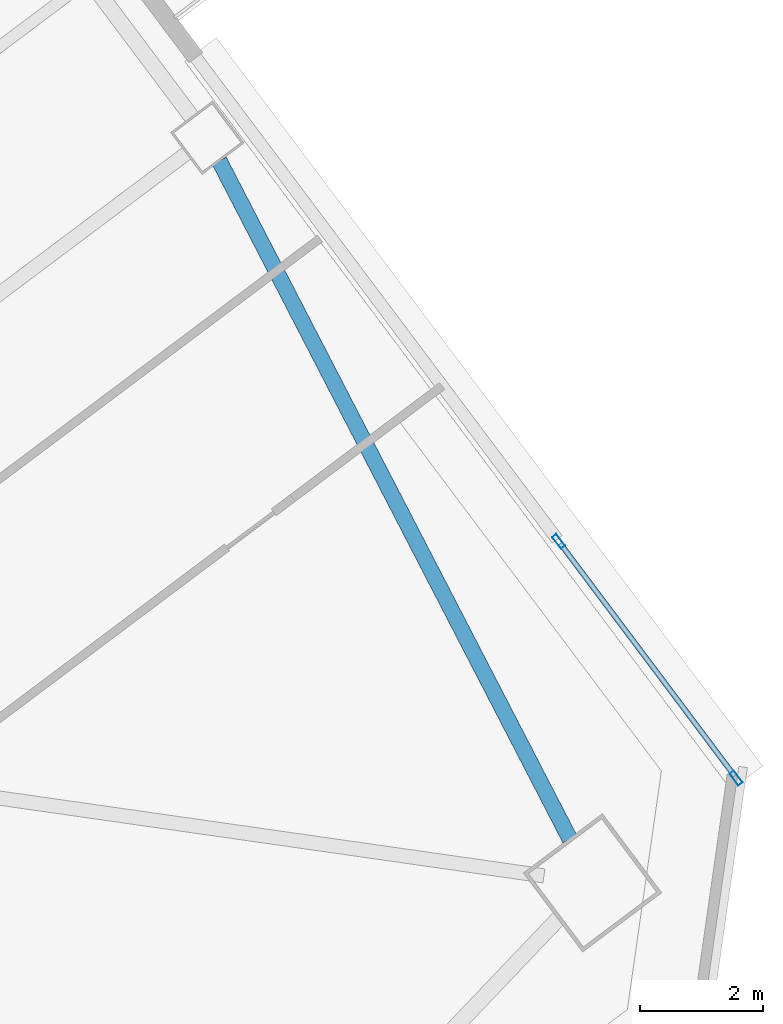
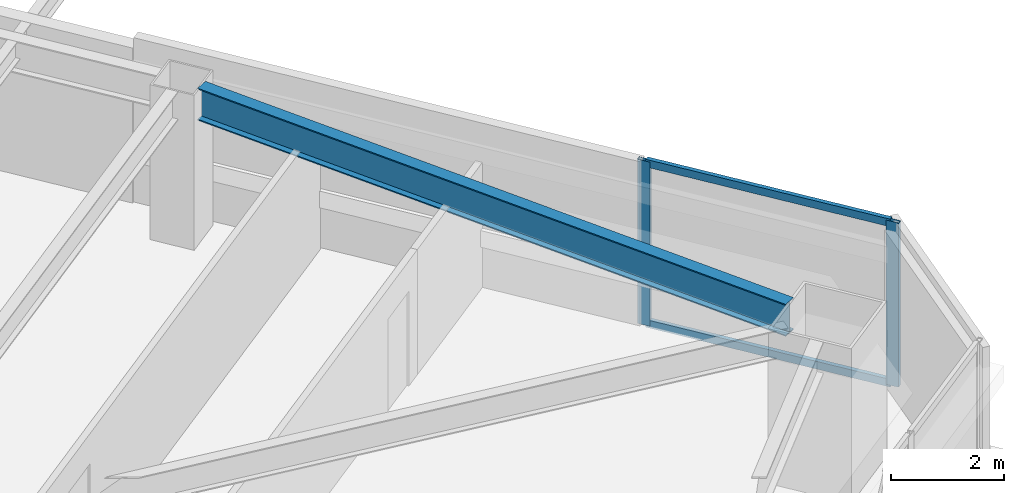
# One storey, part 27 of 47: 4 members, 1 beam, 1 element without a shape of its own.
"""IFC4 building model written with IfcOpenShell, lengths in metres."""

from ifc_helpers import new_model, si_unit, direction, frame, origin, origin_2d, place, context, subcontext, project, spatial, hollow_rectangle, i_section, extrude, material, material_profile, profile_set, type_object, element, aggregate, save


model = new_model("IFC4")

# Units and contexts
model_context = context("Model", 3, precision=1e-05, world=origin(), true_north=direction((0.0, 1.0)))
body_context = subcontext(model_context, "Body", "Model", "MODEL_VIEW")
ifc_project = project(units=[si_unit("LENGTHUNIT", "METRE"), si_unit("AREAUNIT", "SQUARE_METRE"), si_unit("VOLUMEUNIT", "CUBIC_METRE"), si_unit("PLANEANGLEUNIT", "RADIAN"), si_unit("MASSUNIT", "GRAM", prefix="KILO")], contexts=[model_context])

# Site, building, storey
site_placement = place(None, origin())
site = spatial("IfcSite", under=ifc_project, at=site_placement, CompositionType="ELEMENT")
building_placement = place(site_placement, origin())
building = spatial("IfcBuilding", under=site, at=building_placement, Name="Tashvorn Skyway Center", CompositionType="ELEMENT")
storey_placement = place(building_placement, frame((0.0, 0.0, 42.35009765625)))
storey = spatial("IfcBuildingStorey", under=building, at=storey_placement, Name="L10", CompositionType="ELEMENT", Elevation=42.35009765625)

# Beam
ifc_material_1 = material(Name="Steel ASTM A992 Grade 50", Category="steel")
ifc_material_profile_1 = material_profile(ifc_material_1, i_section(OverallWidth=0.256103515625, OverallDepth=0.693115234375, WebThickness=0.014404296875, FlangeThickness=0.023681640625, at=origin_2d()), Name="W27X114")
ifc_profile_set_1 = profile_set([ifc_material_profile_1], Name="Steel ASTM A992 Grade 50")
beam_type = type_object("IfcBeamType", Name="BM-SPANDREL-W27X114", PredefinedType="SPANDREL", material=ifc_profile_set_1)
beam_placement = place(storey_placement, frame((139.954833984375, 28.9462890625, 3.00341796875), z_axis=(-0.459233413919, 0.888315637339, 0.0), x_axis=(-0.888315637339, -0.459233413919, 0.0)))
element("IfcBeam", 1, at=beam_placement, inside=storey, type_object=beam_type, Name="Tower 2 L10 Spandrel Beam 04", PredefinedType="SPANDREL", context=body_context, shape_type="SweptSolid", body=[
    extrude(i_section(OverallWidth=0.256103515625, OverallDepth=0.693115234375, WebThickness=0.014404296875, FlangeThickness=0.023681640625, at=origin_2d()), origin(), (0.0, 0.0, 1.0), 12.37255859375),
])

# Curtain wall, members
ifc_material_2 = material(Name="Thermally broken bronze-anodized aluminium 6063-T6", Category="aluminium")
curtain_wall_type = type_object("IfcCurtainWallType", Name="CW-CW-Z1", PredefinedType="NOTDEFINED", material=ifc_material_2)
curtain_wall_placement = place(storey_placement, origin())
curtain_wall = element("IfcCurtainWall", 2, at=curtain_wall_placement, inside=storey, type_object=curtain_wall_type, Name="Tower 2 L10 East Curtain Wall R Glazing Group 1", PredefinedType="NOTDEFINED")
ifc_material_profile_2 = material_profile(ifc_material_2, hollow_rectangle(XDim=0.0849609375, YDim=0.239990234375, WallThickness=0.0048828125, at=origin_2d()), Name="ALU-MULL-85x240")
ifc_profile_set_2 = profile_set([ifc_material_profile_2], Name="Thermally broken bronze-anodized aluminium 6063-T6")
member_type_1 = type_object("IfcMemberType", Name="CWM-CW-Z1", PredefinedType="MULLION", material=ifc_profile_set_2)
member_1_placement = place(storey_placement, frame((139.771484375, 33.771240234375, 0.0), z_axis=(0.0, 0.0, 1.0), x_axis=(0.799997539287, 0.600003280937, 0.0)))
member_1 = element("IfcMember", 3, at=member_1_placement, type_object=member_type_1, Name="CW-Z1 mullion 1", PredefinedType="MULLION", context=body_context, shape_type="SweptSolid", body=[
    extrude(hollow_rectangle(XDim=0.0849609375, YDim=0.239990234375, WallThickness=0.0048828125, at=origin_2d()), origin(), (0.0, 0.0, 1.0), 3.5498046875),
])
member_2_placement = place(storey_placement, frame((142.646484375, 29.93798828125, 0.0), z_axis=(0.0, 0.0, 1.0), x_axis=(0.799997539287, 0.600003280937, 0.0)))
member_2 = element("IfcMember", 4, at=member_2_placement, type_object=member_type_1, Name="CW-Z1 mullion 2", PredefinedType="MULLION", context=body_context, shape_type="SweptSolid", body=[
    extrude(hollow_rectangle(XDim=0.0849609375, YDim=0.239990234375, WallThickness=0.0048828125, at=origin_2d()), origin(), (0.0, 0.0, 1.0), 3.5498046875),
])
ifc_material_profile_3 = material_profile(ifc_material_2, hollow_rectangle(XDim=0.0849609375, YDim=0.1650390625, WallThickness=0.0048828125, at=origin_2d()), Name="ALU-TRAN-85x165")
ifc_profile_set_3 = profile_set([ifc_material_profile_3], Name="Thermally broken bronze-anodized aluminium 6063-T6")
member_type_2 = type_object("IfcMemberType", Name="CWT-CW-Z1", PredefinedType="USERDEFINED", material=ifc_profile_set_3)
member_3_placement = place(storey_placement, frame((139.797119140625, 33.7373046875, 0.04248046875), z_axis=(0.59999170061, -0.800006224475, 0.0), x_axis=(0.800006224475, 0.59999170061, 0.0)))
member_3 = element("IfcMember", 5, at=member_3_placement, type_object=member_type_2, Name="CW-Z1 transom 1.1", ObjectType="TRANSOM", PredefinedType="USERDEFINED", context=body_context, shape_type="SweptSolid", body=[
    extrude(hollow_rectangle(XDim=0.0849609375, YDim=0.1650390625, WallThickness=0.0048828125, at=origin_2d()), origin(), (0.0, 0.0, 1.0), 4.706787109375),
])
member_4_placement = place(storey_placement, frame((139.797119140625, 33.7373046875, 3.50732421875), z_axis=(0.59999170061, -0.800006224475, 0.0), x_axis=(0.800006224475, 0.59999170061, 0.0)))
member_4 = element("IfcMember", 6, at=member_4_placement, type_object=member_type_2, Name="CW-Z1 transom 1.2", ObjectType="TRANSOM", PredefinedType="USERDEFINED", context=body_context, shape_type="SweptSolid", body=[
    extrude(hollow_rectangle(XDim=0.0849609375, YDim=0.1650390625, WallThickness=0.0048828125, at=origin_2d()), origin(), (0.0, 0.0, 1.0), 4.706787109375),
])
aggregate(curtain_wall, [member_1, member_2, member_3, member_4])

save(model, "model.ifc")
